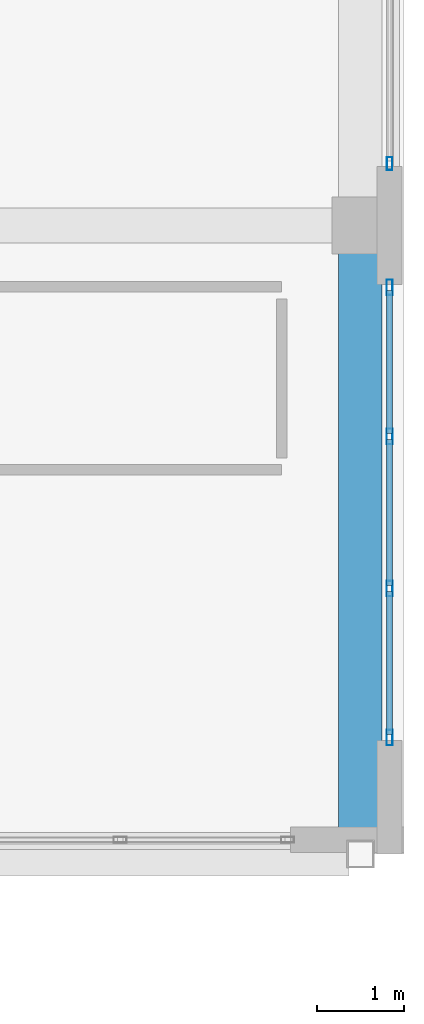
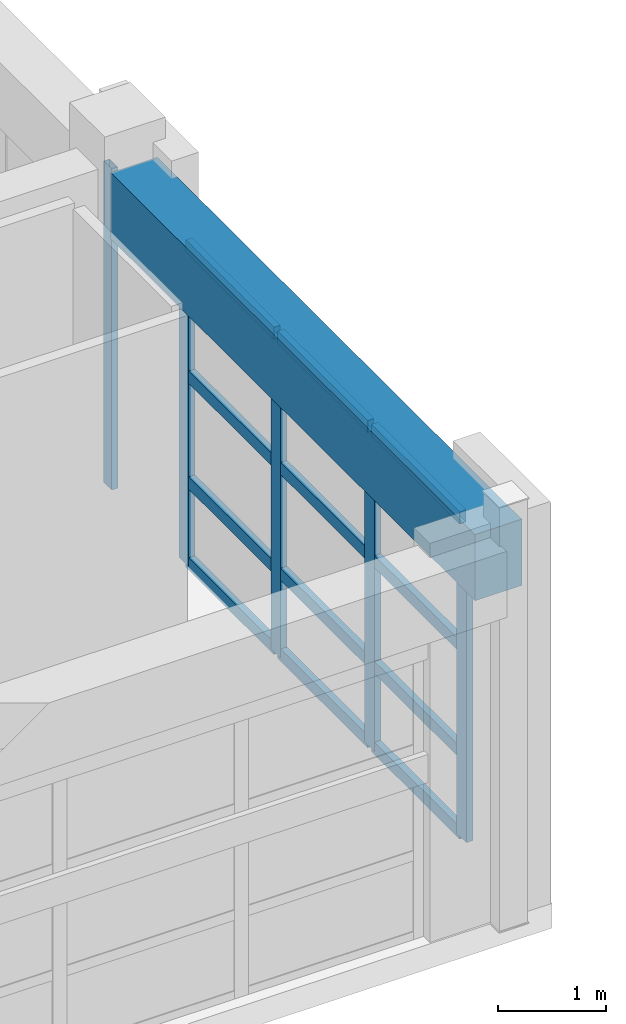
# One storey, part 80 of 123: 17 members, 1 beam, 2 elements without a shape of their own.
"""IFC4 building model written with IfcOpenShell, lengths in metres."""

from ifc_helpers import new_model, si_unit, direction, frame, origin, origin_2d, place, context, subcontext, project, spatial, rectangle, hollow_rectangle, extrude, material, layer, layer_set, material_profile, profile_set, type_object, element, aggregate, save


model = new_model("IFC4")

# Units and contexts
model_context = context("Model", 3, precision=1e-05, world=origin(), true_north=direction((0.0, 1.0)))
body_context = subcontext(model_context, "Body", "Model", "MODEL_VIEW")
ifc_project = project(units=[si_unit("LENGTHUNIT", "METRE"), si_unit("AREAUNIT", "SQUARE_METRE"), si_unit("VOLUMEUNIT", "CUBIC_METRE"), si_unit("PLANEANGLEUNIT", "RADIAN"), si_unit("MASSUNIT", "GRAM", prefix="KILO")], contexts=[model_context])

# Site, building, storey
site_placement = place(None, origin())
site = spatial("IfcSite", under=ifc_project, at=site_placement, CompositionType="ELEMENT")
building_placement = place(site_placement, origin())
building = spatial("IfcBuilding", under=site, at=building_placement, Name="Quendrovan Civic Courthouse", CompositionType="ELEMENT")
storey_placement = place(building_placement, frame((0.0, 0.0, 5.39990234375)))
storey = spatial("IfcBuildingStorey", under=building, at=storey_placement, Name="L02", CompositionType="ELEMENT", Elevation=5.39990234375)

# Beam
ifc_material_1 = material(Name="Concrete C40/50", Category="concrete")
ifc_material_profile_1 = material_profile(ifc_material_1, rectangle(XDim=0.5, YDim=0.75, at=origin_2d()), Name="RC-BM-500x750")
ifc_profile_set_1 = profile_set([ifc_material_profile_1], Name="Concrete C40/50")
beam_type = type_object("IfcBeamType", Name="BM-RC750", PredefinedType="SPANDREL", material=ifc_profile_set_1)
beam_placement = place(storey_placement, frame((160.300048828125, 87.72998046875, 3.985107421875), z_axis=(0.0, 1.0, 0.0), x_axis=(-1.0, 0.0, 0.0)))
element("IfcBeam", 1, at=beam_placement, inside=storey, type_object=beam_type, Name="L02 Girder Y0708", PredefinedType="SPANDREL", context=body_context, shape_type="SweptSolid", body=[
    extrude(rectangle(XDim=0.5, YDim=0.75, at=origin_2d()), origin(), (0.0, 0.0, 1.0), 6.76513671875),
])

# Curtain wall, members
ifc_material_2 = material(Name="Bronze anodised aluminium and low-E glass", Category="aluminium")
ifc_layer_1 = layer(ifc_material_2, 0.179931640625, Name="Bronze anodised aluminium and low-E glass")
ifc_layer_set_1 = layer_set([ifc_layer_1], Name="Bronze anodised aluminium and low-E glass")
curtain_wall_type_1 = type_object("IfcCurtainWallType", Name="CW-U52x36", PredefinedType="USERDEFINED", material=ifc_layer_set_1)
curtain_wall_1_placement = place(storey_placement, origin())
curtain_wall_1 = element("IfcCurtainWall", 2, at=curtain_wall_1_placement, inside=storey, type_object=curtain_wall_type_1, Name="L02 Unitised Hurricane Curtain Wall CW-098", ObjectType="UNITISED CURTAIN WALL", PredefinedType="USERDEFINED")
ifc_material_3 = material(Name="Bronze anodised aluminium", Category="aluminium")
ifc_material_profile_2 = material_profile(ifc_material_3, hollow_rectangle(XDim=0.070068359375, YDim=0.179931640625, WallThickness=0.00390625, at=origin_2d()), Name="CW-MULL-70x180")
ifc_profile_set_2 = profile_set([ifc_material_profile_2], Name="Bronze anodised aluminium")
member_type_1 = type_object("IfcMemberType", Name="CW-MULL-A", PredefinedType="MULLION", material=ifc_profile_set_2)
member_1_placement = place(storey_placement, frame((160.635009765625, 94.090087890625, 0.0), z_axis=(0.0, 0.0, 1.0), x_axis=(1.0, 0.0, 0.0)))
member_1 = element("IfcMember", 3, at=member_1_placement, type_object=member_type_1, Name="CW-098 mullion 1", PredefinedType="MULLION", context=body_context, shape_type="SweptSolid", body=[
    extrude(hollow_rectangle(XDim=0.070068359375, YDim=0.179931640625, WallThickness=0.00390625, at=origin_2d()), origin(), (0.0, 0.0, 1.0), 3.64013671875),
])
member_2_placement = place(storey_placement, frame((160.635009765625, 92.38330078125, 0.0), z_axis=(0.0, 0.0, 1.0), x_axis=(1.0, 0.0, 0.0)))
member_2 = element("IfcMember", 4, at=member_2_placement, type_object=member_type_1, Name="CW-098 mullion 2", PredefinedType="MULLION", context=body_context, shape_type="SweptSolid", body=[
    extrude(hollow_rectangle(XDim=0.070068359375, YDim=0.179931640625, WallThickness=0.00390625, at=origin_2d()), origin(), (0.0, 0.0, 1.0), 3.64013671875),
])
member_3_placement = place(storey_placement, frame((160.635009765625, 90.6416015625, 0.0), z_axis=(0.0, 0.0, 1.0), x_axis=(1.0, 0.0, 0.0)))
member_3 = element("IfcMember", 5, at=member_3_placement, type_object=member_type_1, Name="CW-098 mullion 3", PredefinedType="MULLION", context=body_context, shape_type="SweptSolid", body=[
    extrude(hollow_rectangle(XDim=0.070068359375, YDim=0.179931640625, WallThickness=0.00390625, at=origin_2d()), origin(), (0.0, 0.0, 1.0), 3.64013671875),
])
member_4_placement = place(storey_placement, frame((160.635009765625, 88.93505859375, 0.0), z_axis=(0.0, 0.0, 1.0), x_axis=(1.0, 0.0, 0.0)))
member_4 = element("IfcMember", 6, at=member_4_placement, type_object=member_type_1, Name="CW-098 mullion 4", PredefinedType="MULLION", context=body_context, shape_type="SweptSolid", body=[
    extrude(hollow_rectangle(XDim=0.070068359375, YDim=0.179931640625, WallThickness=0.00390625, at=origin_2d()), origin(), (0.0, 0.0, 1.0), 3.64013671875),
])

# Curtain wall, member
ifc_layer_2 = layer(ifc_material_2, 0.179931640625, Name="Bronze anodised aluminium and low-E glass")
ifc_layer_set_2 = layer_set([ifc_layer_2], Name="Bronze anodised aluminium and low-E glass")
curtain_wall_type_2 = type_object("IfcCurtainWallType", Name="CW-U60x36", PredefinedType="USERDEFINED", material=ifc_layer_set_2)
curtain_wall_2_placement = place(storey_placement, origin())
curtain_wall_2 = element("IfcCurtainWall", 7, at=curtain_wall_2_placement, inside=storey, type_object=curtain_wall_type_2, Name="L02 Unitised Hurricane Curtain Wall CW-097", ObjectType="UNITISED CURTAIN WALL", PredefinedType="USERDEFINED")
ifc_material_profile_3 = material_profile(ifc_material_3, hollow_rectangle(XDim=0.06494140625, YDim=0.14990234375, WallThickness=0.00390625, at=origin_2d()), Name="CW-MULL-65x150")
ifc_profile_set_3 = profile_set([ifc_material_profile_3], Name="Bronze anodised aluminium")
member_type_2 = type_object("IfcMemberType", Name="CW-MULL-B", PredefinedType="MULLION", material=ifc_profile_set_3)
member_5_placement = place(storey_placement, frame((160.635009765625, 95.507568359375, 0.0), z_axis=(0.0, 0.0, 1.0), x_axis=(1.0, 0.0, 0.0)))
member_5 = element("IfcMember", 8, at=member_5_placement, type_object=member_type_2, Name="CW-097 mullion 4", PredefinedType="MULLION", context=body_context, shape_type="SweptSolid", body=[
    extrude(hollow_rectangle(XDim=0.06494140625, YDim=0.14990234375, WallThickness=0.00390625, at=origin_2d()), origin(), (0.0, 0.0, 1.0), 3.64013671875),
])
aggregate(curtain_wall_2, [member_5])

# Member
ifc_material_profile_4 = material_profile(ifc_material_3, hollow_rectangle(XDim=0.070068359375, YDim=0.139892578125, WallThickness=0.00390625, at=origin_2d()), Name="CW-TRAN-70x140")
ifc_profile_set_4 = profile_set([ifc_material_profile_4], Name="Bronze anodised aluminium")
member_type_3 = type_object("IfcMemberType", Name="CW-TRAN-A", PredefinedType="USERDEFINED", material=ifc_profile_set_4)
member_6_placement = place(storey_placement, frame((160.635009765625, 94.054931640625, 0.03515625), z_axis=(0.0, -1.0, 0.0), x_axis=(1.0, 0.0, 0.0)))
member_6 = element("IfcMember", 9, at=member_6_placement, type_object=member_type_3, Name="CW-098 transom 1.1", ObjectType="TRANSOM", PredefinedType="USERDEFINED", context=body_context, shape_type="SweptSolid", body=[
    extrude(hollow_rectangle(XDim=0.070068359375, YDim=0.139892578125, WallThickness=0.00390625, at=origin_2d()), origin(), (0.0, 0.0, 1.0), 1.63671875),
])

member_7_placement = place(storey_placement, frame((160.635009765625, 94.054931640625, 0.9501953125), z_axis=(0.0, -1.0, 0.0), x_axis=(1.0, 0.0, 0.0)))
member_7 = element("IfcMember", 10, at=member_7_placement, type_object=member_type_3, Name="CW-098 transom 1.2", ObjectType="TRANSOM", PredefinedType="USERDEFINED", context=body_context, shape_type="SweptSolid", body=[
    extrude(hollow_rectangle(XDim=0.070068359375, YDim=0.139892578125, WallThickness=0.00390625, at=origin_2d()), origin(), (0.0, 0.0, 1.0), 1.63671875),
])

member_8_placement = place(storey_placement, frame((160.635009765625, 94.054931640625, 2.150146484375), z_axis=(0.0, -1.0, 0.0), x_axis=(1.0, 0.0, 0.0)))
member_8 = element("IfcMember", 11, at=member_8_placement, type_object=member_type_3, Name="CW-098 transom 1.3", ObjectType="TRANSOM", PredefinedType="USERDEFINED", context=body_context, shape_type="SweptSolid", body=[
    extrude(hollow_rectangle(XDim=0.070068359375, YDim=0.139892578125, WallThickness=0.00390625, at=origin_2d()), origin(), (0.0, 0.0, 1.0), 1.63671875),
])

member_9_placement = place(storey_placement, frame((160.635009765625, 94.054931640625, 3.60498046875), z_axis=(0.0, -1.0, 0.0), x_axis=(1.0, 0.0, 0.0)))
member_9 = element("IfcMember", 12, at=member_9_placement, type_object=member_type_3, Name="CW-098 transom 1.4", ObjectType="TRANSOM", PredefinedType="USERDEFINED", context=body_context, shape_type="SweptSolid", body=[
    extrude(hollow_rectangle(XDim=0.070068359375, YDim=0.139892578125, WallThickness=0.00390625, at=origin_2d()), origin(), (0.0, 0.0, 1.0), 1.63671875),
])

member_10_placement = place(storey_placement, frame((160.635009765625, 92.348388671875, 0.03515625), z_axis=(0.0, -1.0, 0.0), x_axis=(1.0, 0.0, 0.0)))
member_10 = element("IfcMember", 13, at=member_10_placement, type_object=member_type_3, Name="CW-098 transom 2.1", ObjectType="TRANSOM", PredefinedType="USERDEFINED", context=body_context, shape_type="SweptSolid", body=[
    extrude(hollow_rectangle(XDim=0.070068359375, YDim=0.139892578125, WallThickness=0.00390625, at=origin_2d()), origin(), (0.0, 0.0, 1.0), 1.671630859375),
])

member_11_placement = place(storey_placement, frame((160.635009765625, 92.348388671875, 0.9501953125), z_axis=(0.0, -1.0, 0.0), x_axis=(1.0, 0.0, 0.0)))
member_11 = element("IfcMember", 14, at=member_11_placement, type_object=member_type_3, Name="CW-098 transom 2.2", ObjectType="TRANSOM", PredefinedType="USERDEFINED", context=body_context, shape_type="SweptSolid", body=[
    extrude(hollow_rectangle(XDim=0.070068359375, YDim=0.139892578125, WallThickness=0.00390625, at=origin_2d()), origin(), (0.0, 0.0, 1.0), 1.671630859375),
])

member_12_placement = place(storey_placement, frame((160.635009765625, 92.348388671875, 2.150146484375), z_axis=(0.0, -1.0, 0.0), x_axis=(1.0, 0.0, 0.0)))
member_12 = element("IfcMember", 15, at=member_12_placement, type_object=member_type_3, Name="CW-098 transom 2.3", ObjectType="TRANSOM", PredefinedType="USERDEFINED", context=body_context, shape_type="SweptSolid", body=[
    extrude(hollow_rectangle(XDim=0.070068359375, YDim=0.139892578125, WallThickness=0.00390625, at=origin_2d()), origin(), (0.0, 0.0, 1.0), 1.671630859375),
])

member_13_placement = place(storey_placement, frame((160.635009765625, 92.348388671875, 3.60498046875), z_axis=(0.0, -1.0, 0.0), x_axis=(1.0, 0.0, 0.0)))
member_13 = element("IfcMember", 16, at=member_13_placement, type_object=member_type_3, Name="CW-098 transom 2.4", ObjectType="TRANSOM", PredefinedType="USERDEFINED", context=body_context, shape_type="SweptSolid", body=[
    extrude(hollow_rectangle(XDim=0.070068359375, YDim=0.139892578125, WallThickness=0.00390625, at=origin_2d()), origin(), (0.0, 0.0, 1.0), 1.671630859375),
])

member_14_placement = place(storey_placement, frame((160.635009765625, 90.606689453125, 0.03515625), z_axis=(0.0, -1.0, 0.0), x_axis=(1.0, 0.0, 0.0)))
member_14 = element("IfcMember", 17, at=member_14_placement, type_object=member_type_3, Name="CW-098 transom 3.1", ObjectType="TRANSOM", PredefinedType="USERDEFINED", context=body_context, shape_type="SweptSolid", body=[
    extrude(hollow_rectangle(XDim=0.070068359375, YDim=0.139892578125, WallThickness=0.00390625, at=origin_2d()), origin(), (0.0, 0.0, 1.0), 1.63671875),
])

member_15_placement = place(storey_placement, frame((160.635009765625, 90.606689453125, 0.9501953125), z_axis=(0.0, -1.0, 0.0), x_axis=(1.0, 0.0, 0.0)))
member_15 = element("IfcMember", 18, at=member_15_placement, type_object=member_type_3, Name="CW-098 transom 3.2", ObjectType="TRANSOM", PredefinedType="USERDEFINED", context=body_context, shape_type="SweptSolid", body=[
    extrude(hollow_rectangle(XDim=0.070068359375, YDim=0.139892578125, WallThickness=0.00390625, at=origin_2d()), origin(), (0.0, 0.0, 1.0), 1.63671875),
])

member_16_placement = place(storey_placement, frame((160.635009765625, 90.606689453125, 2.150146484375), z_axis=(0.0, -1.0, 0.0), x_axis=(1.0, 0.0, 0.0)))
member_16 = element("IfcMember", 19, at=member_16_placement, type_object=member_type_3, Name="CW-098 transom 3.3", ObjectType="TRANSOM", PredefinedType="USERDEFINED", context=body_context, shape_type="SweptSolid", body=[
    extrude(hollow_rectangle(XDim=0.070068359375, YDim=0.139892578125, WallThickness=0.00390625, at=origin_2d()), origin(), (0.0, 0.0, 1.0), 1.63671875),
])

member_17_placement = place(storey_placement, frame((160.635009765625, 90.606689453125, 3.60498046875), z_axis=(0.0, -1.0, 0.0), x_axis=(1.0, 0.0, 0.0)))
member_17 = element("IfcMember", 20, at=member_17_placement, type_object=member_type_3, Name="CW-098 transom 3.4", ObjectType="TRANSOM", PredefinedType="USERDEFINED", context=body_context, shape_type="SweptSolid", body=[
    extrude(hollow_rectangle(XDim=0.070068359375, YDim=0.139892578125, WallThickness=0.00390625, at=origin_2d()), origin(), (0.0, 0.0, 1.0), 1.63671875),
])

aggregate(curtain_wall_1, [member_1, member_2, member_3, member_4, member_6, member_7, member_8, member_9, member_10, member_11, member_12, member_13, member_14, member_15, member_16, member_17])

save(model, "model.ifc")
